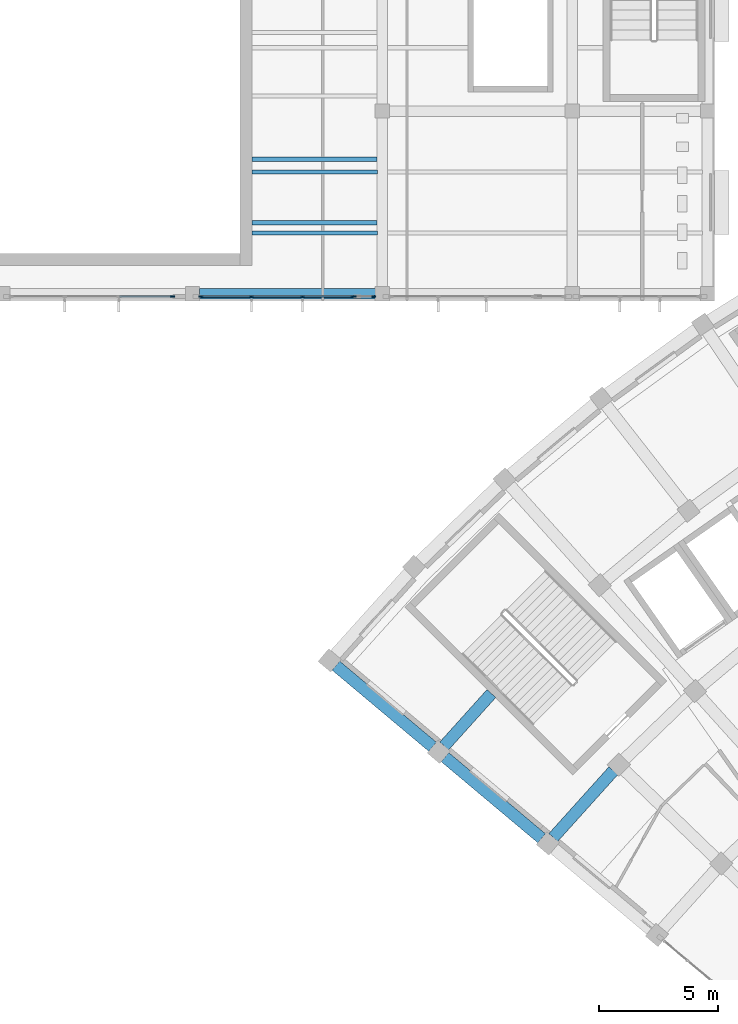
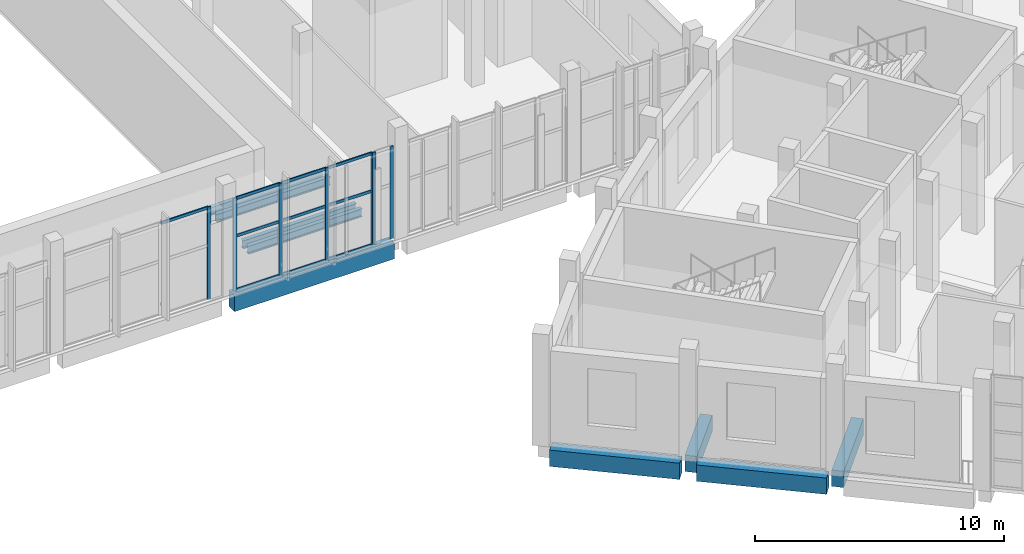
# One storey, part 5 of 112: 17 members, 9 beams, 3 elements without a shape of their own.
"""IFC4 building model written with IfcOpenShell, lengths in metres."""

from ifc_helpers import new_model, si_unit, direction, frame, origin, origin_2d, place, context, subcontext, project, spatial, rectangle, i_section, extrude, material, layer, layer_set, material_profile, profile_set, type_object, element, aggregate, save


model = new_model("IFC4")

# Units and contexts
model_context = context("Model", 3, precision=1e-05, world=origin(), true_north=direction((0.0, 1.0)))
body_context = subcontext(model_context, "Body", "Model", "MODEL_VIEW")
ifc_project = project(units=[si_unit("LENGTHUNIT", "METRE"), si_unit("AREAUNIT", "SQUARE_METRE"), si_unit("VOLUMEUNIT", "CUBIC_METRE"), si_unit("PLANEANGLEUNIT", "RADIAN"), si_unit("MASSUNIT", "GRAM", prefix="KILO")], contexts=[model_context])

# Site, building, storey
site_placement = place(None, origin())
site = spatial("IfcSite", under=ifc_project, at=site_placement, CompositionType="ELEMENT")
building_placement = place(site_placement, origin())
building = spatial("IfcBuilding", under=site, at=building_placement, Name="Lunette Opera House", CompositionType="ELEMENT")
storey_placement = place(building_placement, frame((0.0, 0.0, 6.0)))
storey = spatial("IfcBuildingStorey", under=building, at=storey_placement, Name="L01", CompositionType="ELEMENT", Elevation=6.0)

# Curtain wall, member
ifc_material_1 = material(Name="Aluminium", Category="aluminium")
ifc_layer = layer(ifc_material_1, 0.179931640625)
ifc_layer_set = layer_set([ifc_layer], Name="Aluminium")
curtain_wall_type = type_object("IfcCurtainWallType", Name="SUN FACE CURTAIN WALL", PredefinedType="NOTDEFINED", material=ifc_layer_set)
curtain_wall_1_placement = place(storey_placement, origin())
curtain_wall_1 = element("IfcCurtainWall", 1, at=curtain_wall_1_placement, inside=storey, type_object=curtain_wall_type, Name="Sun Face Curtain Wall F21 L01", PredefinedType="NOTDEFINED")
ifc_material_2 = material(Name="Aluminium", Category="aluminium")
ifc_material_profile_1 = material_profile(ifc_material_2, rectangle(XDim=0.06005859375, YDim=0.179931640625, at=origin_2d()), Name="MULLION 60 X 180")
ifc_profile_set_1 = profile_set([ifc_material_profile_1], Name="Aluminium")
member_type_1 = type_object("IfcMemberType", Name="MULLION 60 X 180", PredefinedType="MULLION", material=ifc_profile_set_1)
member_1_placement = place(storey_placement, frame((31.153076171875, 64.18310546875, 0.0), z_axis=(0.0, 0.0, 1.0), x_axis=(0.0, 1.0, 0.0)))
member_1 = element("IfcMember", 2, at=member_1_placement, type_object=member_type_1, Name="RW-X2023 mullion 4", PredefinedType="MULLION", context=body_context, shape_type="SweptSolid", body=[
    extrude(rectangle(XDim=0.06005859375, YDim=0.179931640625, at=origin_2d()), origin(), (0.0, 0.0, 1.0), 4.550048828125),
])

# Curtain wall, members
curtain_wall_2_placement = place(storey_placement, origin())
curtain_wall_2 = element("IfcCurtainWall", 3, at=curtain_wall_2_placement, inside=storey, type_object=curtain_wall_type, Name="Sun Face Curtain Wall F22 L01", PredefinedType="NOTDEFINED")
member_2_placement = place(storey_placement, frame((32.360107421875, 64.18310546875, 0.0), z_axis=(0.0, 0.0, 1.0), x_axis=(0.0, 1.0, 0.0)))
member_2 = element("IfcMember", 4, at=member_2_placement, type_object=member_type_1, Name="RW-X2024 mullion 1", PredefinedType="MULLION", context=body_context, shape_type="SweptSolid", body=[
    extrude(rectangle(XDim=0.06005859375, YDim=0.179931640625, at=origin_2d()), origin(), (0.0, 0.0, 1.0), 4.550048828125),
])
member_3_placement = place(storey_placement, frame((34.482666015625, 64.18310546875, 0.0), z_axis=(0.0, 0.0, 1.0), x_axis=(0.0, 1.0, 0.0)))
member_3 = element("IfcMember", 5, at=member_3_placement, type_object=member_type_1, Name="RW-X2024 mullion 2", PredefinedType="MULLION", context=body_context, shape_type="SweptSolid", body=[
    extrude(rectangle(XDim=0.06005859375, YDim=0.179931640625, at=origin_2d()), origin(), (0.0, 0.0, 1.0), 4.550048828125),
])
member_4_placement = place(storey_placement, frame((36.63525390625, 64.18310546875, 0.0), z_axis=(0.0, 0.0, 1.0), x_axis=(0.0, 1.0, 0.0)))
member_4 = element("IfcMember", 6, at=member_4_placement, type_object=member_type_1, Name="RW-X2024 mullion 3", PredefinedType="MULLION", context=body_context, shape_type="SweptSolid", body=[
    extrude(rectangle(XDim=0.06005859375, YDim=0.179931640625, at=origin_2d()), origin(), (0.0, 0.0, 1.0), 4.550048828125),
])
member_5_placement = place(storey_placement, frame((38.758056640625, 64.18310546875, 0.0), z_axis=(0.0, 0.0, 1.0), x_axis=(0.0, 1.0, 0.0)))
member_5 = element("IfcMember", 7, at=member_5_placement, type_object=member_type_1, Name="RW-X2024 mullion 4", PredefinedType="MULLION", context=body_context, shape_type="SweptSolid", body=[
    extrude(rectangle(XDim=0.06005859375, YDim=0.179931640625, at=origin_2d()), origin(), (0.0, 0.0, 1.0), 4.550048828125),
])

curtain_wall_3_placement = place(storey_placement, origin())
curtain_wall_3 = element("IfcCurtainWall", 8, at=curtain_wall_3_placement, inside=storey, type_object=curtain_wall_type, Name="Sun Face Curtain Wall F23-1 L01", PredefinedType="NOTDEFINED")
member_6_placement = place(storey_placement, frame((38.818115234375, 64.18310546875, 0.0), z_axis=(0.0, 0.0, 1.0), x_axis=(0.0, 1.0, 0.0)))
member_6 = element("IfcMember", 9, at=member_6_placement, type_object=member_type_1, Name="RW-X2025 mullion 1", PredefinedType="MULLION", context=body_context, shape_type="SweptSolid", body=[
    extrude(rectangle(XDim=0.06005859375, YDim=0.179931640625, at=origin_2d()), origin(), (0.0, 0.0, 1.0), 4.550048828125),
])
member_7_placement = place(storey_placement, frame((39.639892578125, 64.18310546875, 0.0), z_axis=(0.0, 0.0, 1.0), x_axis=(0.0, 1.0, 0.0)))
member_7 = element("IfcMember", 10, at=member_7_placement, type_object=member_type_1, Name="RW-X2025 mullion 2", PredefinedType="MULLION", context=body_context, shape_type="SweptSolid", body=[
    extrude(rectangle(XDim=0.06005859375, YDim=0.179931640625, at=origin_2d()), origin(), (0.0, 0.0, 1.0), 4.550048828125),
])
aggregate(curtain_wall_3, [member_6, member_7])

# Beams
ifc_material_3 = material(Name="Concrete C35/45", Category="concrete")
ifc_material_profile_2 = material_profile(ifc_material_3, rectangle(XDim=0.449951171875, YDim=0.800048828125, at=origin_2d()), Name="RC BEAM 450X800")
ifc_profile_set_2 = profile_set([ifc_material_profile_2], Name="Concrete C35/45")
beam_type_1 = type_object("IfcBeamType", Name="RC BEAM 450X800", PredefinedType="BEAM", material=ifc_profile_set_2)
beam_1_placement = place(storey_placement, frame((32.2900390625, 64.300048828125, -0.550048828125), z_axis=(1.0, 0.0, 0.0), x_axis=(0.0, 1.0, 0.0)))
element("IfcBeam", 11, at=beam_1_placement, inside=storey, type_object=beam_type_1, Name="beam-RW-L01-L01-GX30", PredefinedType="BEAM", context=body_context, shape_type="SweptSolid", body=[
    extrude(rectangle(XDim=0.449951171875, YDim=0.800048828125, at=origin_2d()), origin(), (0.0, 0.0, 1.0), 7.419921875),
])
ifc_material_4 = material(Name="Concrete C35/45", Category="concrete")
ifc_material_profile_3 = material_profile(ifc_material_4, rectangle(XDim=0.5, YDim=0.800048828125, at=origin_2d()), Name="RC BEAM 500X800")
ifc_profile_set_3 = profile_set([ifc_material_profile_3], Name="Concrete C35/45")
beam_type_2 = type_object("IfcBeamType", Name="RC BEAM 500X800", PredefinedType="BEAM", material=ifc_profile_set_3)
beam_2_placement = place(storey_placement, frame((46.712890625, 41.35693359375, -0.6201171875), z_axis=(-0.76603920911, 0.642793847285, 0.0), x_axis=(-0.642793847285, -0.76603920911, 0.0)))
element("IfcBeam", 12, at=beam_2_placement, inside=storey, type_object=beam_type_2, Name="beam-FC-L01-L01-RB-RL-01-3", PredefinedType="BEAM", context=body_context, shape_type="SweptSolid", body=[
    extrude(rectangle(XDim=0.5, YDim=0.800048828125, at=origin_2d()), origin(), (0.0, 0.0, 1.0), 5.32080078125),
])
beam_3_placement = place(storey_placement, frame((42.115966796875, 45.214111328125, -0.6201171875), z_axis=(-0.766076352309, 0.642749579878, 0.0), x_axis=(-0.642749579878, -0.766076352309, 0.0)))
element("IfcBeam", 13, at=beam_3_placement, inside=storey, type_object=beam_type_2, Name="beam-FC-L01-L01-RB-RL-01-4", PredefinedType="BEAM", context=body_context, shape_type="SweptSolid", body=[
    extrude(rectangle(XDim=0.5, YDim=0.800048828125, at=origin_2d()), origin(), (0.0, 0.0, 1.0), 5.3193359375),
])
beam_4_placement = place(storey_placement, frame((47.200927734375, 41.39111328125, -0.6201171875), z_axis=(0.669021732106, 0.743242841856, 0.0), x_axis=(-0.743242841856, 0.669021732106, 0.0)))
element("IfcBeam", 14, at=beam_4_placement, inside=storey, type_object=beam_type_2, Name="beam-FC-L01-L01-RG-AR-B-RL-01", PredefinedType="BEAM", context=body_context, shape_type="SweptSolid", body=[
    extrude(rectangle(XDim=0.5, YDim=0.800048828125, at=origin_2d()), origin(), (0.0, 0.0, 1.0), 3.7861328125),
])
beam_5_placement = place(storey_placement, frame((42.60498046875, 45.248046875, -0.6201171875), z_axis=(0.6689919383, 0.743269659336, 0.0), x_axis=(-0.743269659336, 0.6689919383, 0.0)))
element("IfcBeam", 15, at=beam_5_placement, inside=storey, type_object=beam_type_2, Name="beam-FC-L01-L01-RG-AR-M2-RL-01", PredefinedType="BEAM", context=body_context, shape_type="SweptSolid", body=[
    extrude(rectangle(XDim=0.5, YDim=0.800048828125, at=origin_2d()), origin(), (0.0, 0.0, 1.0), 2.974609375),
])
ifc_material_5 = material(Name="Steel S355", Category="steel")
ifc_material_profile_4 = material_profile(ifc_material_5, i_section(OverallWidth=0.179931640625, OverallDepth=0.39990234375, WebThickness=0.008544921875, FlangeThickness=0.013427734375, FilletRadius=0.02099609375, at=origin_2d()), Name="IPE 400")
ifc_profile_set_4 = profile_set([ifc_material_profile_4], Name="Steel S355")
beam_type_3 = type_object("IfcBeamType", Name="STEEL BEAM IPE 400", PredefinedType="BEAM", material=ifc_profile_set_4)
for number, where, z_axis, x_axis, name in (
    (16, (34.5, 66.866943359375, -0.35009765625), (1.0, 0.0, 0.0), (0.0, 1.0, 0.0), "beam-RW-L01-L01-SX301-01"),
    (17, (34.5, 69.43310546875, -0.35009765625), (1.0, 0.0, 0.0), (0.0, 1.0, 0.0), "beam-RW-L01-L01-SX302-01"),
):
    element("IfcBeam", number, at=place(storey_placement, frame(where, z_axis=z_axis, x_axis=x_axis)), inside=storey, type_object=beam_type_3, Name=name, PredefinedType="BEAM", context=body_context, shape_type="SweptSolid", body=[
        extrude(i_section(OverallWidth=0.179931640625, OverallDepth=0.39990234375, WebThickness=0.008544921875, FlangeThickness=0.013427734375, FilletRadius=0.02099609375, at=origin_2d()), origin(), (0.0, 0.0, 1.0), 5.284912109375),
    ])
for number, where, z_axis, x_axis, name in (
    (18, (34.5, 67.300048828125, -0.35009765625), (1.0, 0.0, 0.0), (0.0, 1.0, 0.0), "beam-RW-L01-L01-RJE10660"),
    (19, (34.5, 69.969970703125, -0.35009765625), (1.0, 0.0, 0.0), (0.0, 1.0, 0.0), "beam-RW-L01-L01-RJE10661"),
):
    element("IfcBeam", number, at=place(storey_placement, frame(where, z_axis=z_axis, x_axis=x_axis)), inside=storey, type_object=beam_type_3, Name=name, PredefinedType="BEAM", context=body_context, shape_type="SweptSolid", body=[
        extrude(i_section(OverallWidth=0.179931640625, OverallDepth=0.39990234375, WebThickness=0.008544921875, FlangeThickness=0.013427734375, FilletRadius=0.02099609375, at=origin_2d()), origin(), (0.0, 0.0, 1.0), 5.264892578125),
    ])

# Member
ifc_material_6 = material(Name="Aluminium", Category="aluminium")
ifc_material_profile_5 = material_profile(ifc_material_6, rectangle(XDim=0.06005859375, YDim=0.139892578125, at=origin_2d()), Name="TRANSOM 60 X 140")
ifc_profile_set_5 = profile_set([ifc_material_profile_5], Name="Aluminium")
member_type_2 = type_object("IfcMemberType", Name="TRANSOM 60 X 140", PredefinedType="USERDEFINED", material=ifc_profile_set_5)
member_8_placement = place(storey_placement, frame((28.9287109375, 64.18310546875, 4.52001953125), z_axis=(1.0, 0.0, 0.0), x_axis=(0.0, 1.0, 0.0)))
member_8 = element("IfcMember", 20, at=member_8_placement, type_object=member_type_2, Name="RW-X2023 transom 3.3", ObjectType="TRANSOM", PredefinedType="USERDEFINED", context=body_context, shape_type="SweptSolid", body=[
    extrude(rectangle(XDim=0.06005859375, YDim=0.139892578125, at=origin_2d()), origin(), (0.0, 0.0, 1.0), 2.1943359375),
])

aggregate(curtain_wall_1, [member_1, member_8])

member_9_placement = place(storey_placement, frame((32.389892578125, 64.18310546875, 0.030029296875), z_axis=(1.0, 0.0, 0.0), x_axis=(0.0, 1.0, 0.0)))
member_9 = element("IfcMember", 21, at=member_9_placement, type_object=member_type_2, Name="RW-X2024 transom 1.1", ObjectType="TRANSOM", PredefinedType="USERDEFINED", context=body_context, shape_type="SweptSolid", body=[
    extrude(rectangle(XDim=0.06005859375, YDim=0.139892578125, at=origin_2d()), origin(), (0.0, 0.0, 1.0), 2.062744140625),
])

member_10_placement = place(storey_placement, frame((32.389892578125, 64.18310546875, 2.675048828125), z_axis=(1.0, 0.0, 0.0), x_axis=(0.0, 1.0, 0.0)))
member_10 = element("IfcMember", 22, at=member_10_placement, type_object=member_type_2, Name="RW-X2024 transom 1.2", ObjectType="TRANSOM", PredefinedType="USERDEFINED", context=body_context, shape_type="SweptSolid", body=[
    extrude(rectangle(XDim=0.06005859375, YDim=0.139892578125, at=origin_2d()), origin(), (0.0, 0.0, 1.0), 2.062744140625),
])

member_11_placement = place(storey_placement, frame((32.389892578125, 64.18310546875, 4.52001953125), z_axis=(1.0, 0.0, 0.0), x_axis=(0.0, 1.0, 0.0)))
member_11 = element("IfcMember", 23, at=member_11_placement, type_object=member_type_2, Name="RW-X2024 transom 1.3", ObjectType="TRANSOM", PredefinedType="USERDEFINED", context=body_context, shape_type="SweptSolid", body=[
    extrude(rectangle(XDim=0.06005859375, YDim=0.139892578125, at=origin_2d()), origin(), (0.0, 0.0, 1.0), 2.062744140625),
])

member_12_placement = place(storey_placement, frame((34.5126953125, 64.18310546875, 0.030029296875), z_axis=(1.0, 0.0, 0.0), x_axis=(0.0, 1.0, 0.0)))
member_12 = element("IfcMember", 24, at=member_12_placement, type_object=member_type_2, Name="RW-X2024 transom 2.1", ObjectType="TRANSOM", PredefinedType="USERDEFINED", context=body_context, shape_type="SweptSolid", body=[
    extrude(rectangle(XDim=0.06005859375, YDim=0.139892578125, at=origin_2d()), origin(), (0.0, 0.0, 1.0), 2.092529296875),
])

member_13_placement = place(storey_placement, frame((34.5126953125, 64.18310546875, 2.675048828125), z_axis=(1.0, 0.0, 0.0), x_axis=(0.0, 1.0, 0.0)))
member_13 = element("IfcMember", 25, at=member_13_placement, type_object=member_type_2, Name="RW-X2024 transom 2.2", ObjectType="TRANSOM", PredefinedType="USERDEFINED", context=body_context, shape_type="SweptSolid", body=[
    extrude(rectangle(XDim=0.06005859375, YDim=0.139892578125, at=origin_2d()), origin(), (0.0, 0.0, 1.0), 2.092529296875),
])

member_14_placement = place(storey_placement, frame((34.5126953125, 64.18310546875, 4.52001953125), z_axis=(1.0, 0.0, 0.0), x_axis=(0.0, 1.0, 0.0)))
member_14 = element("IfcMember", 26, at=member_14_placement, type_object=member_type_2, Name="RW-X2024 transom 2.3", ObjectType="TRANSOM", PredefinedType="USERDEFINED", context=body_context, shape_type="SweptSolid", body=[
    extrude(rectangle(XDim=0.06005859375, YDim=0.139892578125, at=origin_2d()), origin(), (0.0, 0.0, 1.0), 2.092529296875),
])

member_15_placement = place(storey_placement, frame((36.665283203125, 64.18310546875, 0.030029296875), z_axis=(1.0, 0.0, 0.0), x_axis=(0.0, 1.0, 0.0)))
member_15 = element("IfcMember", 27, at=member_15_placement, type_object=member_type_2, Name="RW-X2024 transom 3.1", ObjectType="TRANSOM", PredefinedType="USERDEFINED", context=body_context, shape_type="SweptSolid", body=[
    extrude(rectangle(XDim=0.06005859375, YDim=0.139892578125, at=origin_2d()), origin(), (0.0, 0.0, 1.0), 2.062744140625),
])

member_16_placement = place(storey_placement, frame((36.665283203125, 64.18310546875, 2.675048828125), z_axis=(1.0, 0.0, 0.0), x_axis=(0.0, 1.0, 0.0)))
member_16 = element("IfcMember", 28, at=member_16_placement, type_object=member_type_2, Name="RW-X2024 transom 3.2", ObjectType="TRANSOM", PredefinedType="USERDEFINED", context=body_context, shape_type="SweptSolid", body=[
    extrude(rectangle(XDim=0.06005859375, YDim=0.139892578125, at=origin_2d()), origin(), (0.0, 0.0, 1.0), 2.062744140625),
])

member_17_placement = place(storey_placement, frame((36.665283203125, 64.18310546875, 4.52001953125), z_axis=(1.0, 0.0, 0.0), x_axis=(0.0, 1.0, 0.0)))
member_17 = element("IfcMember", 29, at=member_17_placement, type_object=member_type_2, Name="RW-X2024 transom 3.3", ObjectType="TRANSOM", PredefinedType="USERDEFINED", context=body_context, shape_type="SweptSolid", body=[
    extrude(rectangle(XDim=0.06005859375, YDim=0.139892578125, at=origin_2d()), origin(), (0.0, 0.0, 1.0), 2.062744140625),
])

aggregate(curtain_wall_2, [member_2, member_3, member_4, member_5, member_9, member_10, member_11, member_12, member_13, member_14, member_15, member_16, member_17])

save(model, "model.ifc")
